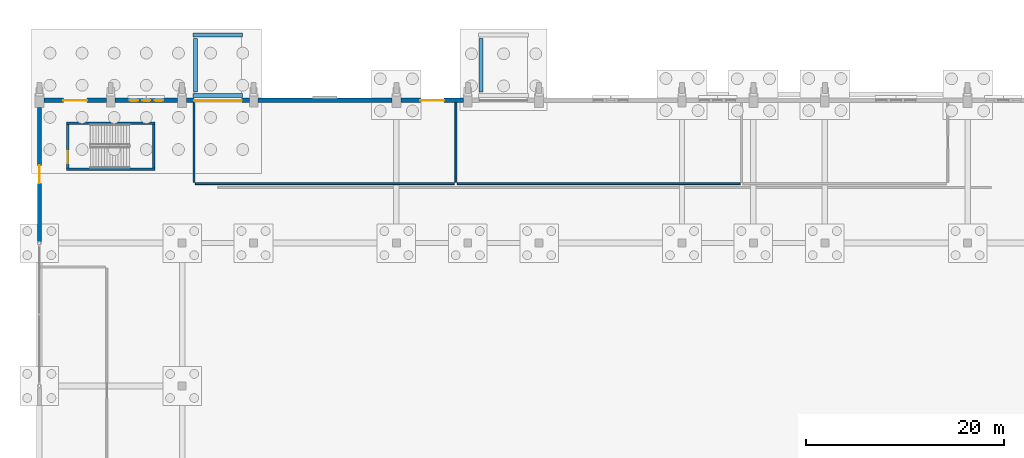
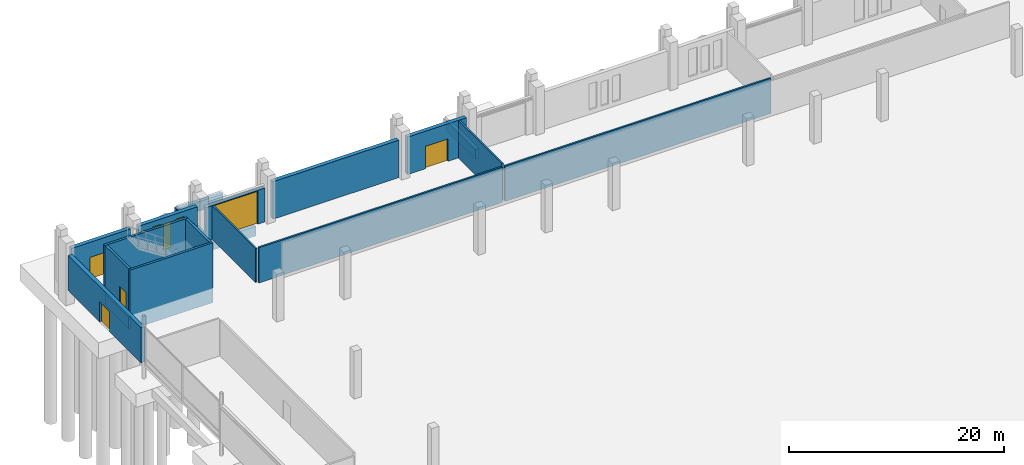
# One storey, part 149 of 192: 19 walls, 5 doors, 3 windows, 8 openings.
"""IFC4 building model written with IfcOpenShell, lengths in metres."""

from ifc_helpers import new_model, si_unit, direction, frame, frame_2d, origin, place, context, subcontext, project, spatial, rectangle, extrude, material, layer, layer_set, type_object, element, fill, save


model = new_model("IFC4")

# Units and contexts
model_context = context("Model", 3, precision=1e-05, world=origin(), true_north=direction((0.0, 1.0)))
body_context = subcontext(model_context, "Body", "Model", "MODEL_VIEW")
ifc_project = project(units=[si_unit("LENGTHUNIT", "METRE"), si_unit("AREAUNIT", "SQUARE_METRE"), si_unit("VOLUMEUNIT", "CUBIC_METRE"), si_unit("PLANEANGLEUNIT", "RADIAN"), si_unit("MASSUNIT", "GRAM", prefix="KILO")], contexts=[model_context])

# Site, building, storey
site_placement = place(None, origin())
site = spatial("IfcSite", under=ifc_project, at=site_placement, CompositionType="ELEMENT")
building_placement = place(site_placement, origin())
building = spatial("IfcBuilding", under=site, at=building_placement, Name="Cendralis Lancet Convention Centre", CompositionType="ELEMENT")
storey_placement = place(building_placement, origin())
storey = spatial("IfcBuildingStorey", under=building, at=storey_placement, Name="L00", CompositionType="ELEMENT", Elevation=0.0)

# Wall, opening, door
ifc_material_1 = material(Name="Buff sandstone ashlar and Concrete G40 (C40/50)", Category="masonry")
ifc_layer_1 = layer(ifc_material_1, 0.419921875, Name="Buff sandstone ashlar and Concrete G40 (C40/50)")
ifc_layer_set_1 = layer_set([ifc_layer_1], Name="Buff sandstone ashlar and Concrete G40 (C40/50)")
wall_type_1 = type_object("IfcWallType", Name="ARC-EW-W420", PredefinedType="STANDARD", material=ifc_layer_set_1)
wall_1_placement = place(storey_placement, frame((0.4580078125, 136.800048828125, 0.0), z_axis=(0.0, 0.0, 1.0), x_axis=(1.0, 0.0, 0.0)))
wall_1 = element("IfcWall", 1, at=wall_1_placement, inside=storey, type_object=wall_type_1, Name="L00 V1 Exterior Wall EW-01 #0001", PredefinedType="STANDARD", context=body_context, shape_type="SweptSolid", body=[
    extrude(rectangle(XDim=6.30908203125, YDim=0.419921875, at=frame_2d((3.154541015625, 0.0))), origin(), (0.0, 0.0, 1.0), 4.2548828125),
])
opening_1_placement = place(wall_1_placement, frame((1.95458984375, 0.0, 0.0)))
opening_1 = element("IfcOpeningElement", 2, at=opening_1_placement, cuts=wall_1, Name="Opening EX-D3", PredefinedType="OPENING", context=body_context, shape_type="SweptSolid", body=[
    extrude(rectangle(XDim=2.39990234375, YDim=2.550048828125, at=frame_2d((1.199951171875, 1.27490234375))), frame((0.0, 0.219970703125, 0.0), z_axis=(0.0, -1.0, 0.0), x_axis=(1.0, 0.0, 0.0)), (0.0, 0.0, 1.0), 0.43994140625),
])
ifc_material_2 = material(Name="Anodised bronze architectural aluminium", Category="aluminium")
door_type_1 = type_object("IfcDoorType", Name="ARC-DR-EX24", OperationType="NOTDEFINED", PredefinedType="DOOR", material=ifc_material_2)
door_1_placement = place(opening_1_placement, origin())
door_1 = element("IfcDoor", 3, at=door_1_placement, inside=storey, type_object=door_type_1, Name="L00-D008 Pedestrian Final Exit Door EX-08 #008", OperationType="DOUBLE_DOOR_SINGLE_SWING", OverallHeight=2.550048828125, OverallWidth=2.39990234375, PredefinedType="DOOR", context=body_context, shape_type="SweptSolid", body=[
    extrude(rectangle(XDim=2.39990234375, YDim=2.550048828125, at=frame_2d((1.199951171875, 1.27490234375))), frame((0.0, 0.02490234375, 0.0), z_axis=(0.0, -1.0, 0.0), x_axis=(1.0, 0.0, 0.0)), (0.0, 0.0, 1.0), 0.050048828125),
])
fill(opening_1, door_1)

# Wall, openings, windows
wall_2_placement = place(storey_placement, frame((7.633056640625, 136.800048828125, 0.0), z_axis=(0.0, 0.0, 1.0), x_axis=(1.0, 0.0, 0.0)))
wall_2 = element("IfcWall", 4, at=wall_2_placement, inside=storey, type_object=wall_type_1, Name="L00 V1 Exterior Wall EW-01 #0002", PredefinedType="STANDARD", context=body_context, shape_type="SweptSolid", body=[
    extrude(rectangle(XDim=6.308837890625, YDim=0.419921875, at=frame_2d((3.154296875, 0.0))), origin(), (0.0, 0.0, 1.0), 4.2548828125),
])
opening_2_placement = place(wall_2_placement, frame((1.464599609375, 0.0, 0.5)))
opening_2 = element("IfcOpeningElement", 5, at=opening_2_placement, cuts=wall_2, Name="Opening WN-03", PredefinedType="OPENING", context=body_context, shape_type="SweptSolid", body=[
    extrude(rectangle(XDim=0.860107421875, YDim=3.14990234375, at=frame_2d((0.43017578125, 1.574951171875))), frame((0.0, 0.219970703125, 0.0), z_axis=(0.0, -1.0, 0.0), x_axis=(1.0, 0.0, 0.0)), (0.0, 0.0, 1.0), 0.43994140625),
])
opening_3_placement = place(wall_2_placement, frame((2.744384765625, 0.0, 0.5)))
opening_3 = element("IfcOpeningElement", 6, at=opening_3_placement, cuts=wall_2, Name="Opening WN-02", PredefinedType="OPENING", context=body_context, shape_type="SweptSolid", body=[
    extrude(rectangle(XDim=0.820068359375, YDim=3.0, at=frame_2d((0.41015625, 1.5))), frame((0.0, 0.219970703125, 0.0), z_axis=(0.0, -1.0, 0.0), x_axis=(1.0, 0.0, 0.0)), (0.0, 0.0, 1.0), 0.43994140625),
])
opening_4_placement = place(wall_2_placement, frame((3.984619140625, 0.0, 0.5)))
opening_4 = element("IfcOpeningElement", 7, at=opening_4_placement, cuts=wall_2, Name="Opening WN-03", PredefinedType="OPENING", context=body_context, shape_type="SweptSolid", body=[
    extrude(rectangle(XDim=0.860107421875, YDim=3.14990234375, at=frame_2d((0.43017578125, 1.574951171875))), frame((0.0, 0.219970703125, 0.0), z_axis=(0.0, -1.0, 0.0), x_axis=(1.0, 0.0, 0.0)), (0.0, 0.0, 1.0), 0.43994140625),
])
ifc_material_3 = material(Name="Double-glazed low-E solar-control glass", Category="glass")
window_type_1 = type_object("IfcWindowType", Name="ARC-WN-LW02", PartitioningType="SINGLE_PANEL", PredefinedType="WINDOW", material=ifc_material_3)
window_1_placement = place(opening_3_placement, origin())
window_1 = element("IfcWindow", 8, at=window_1_placement, inside=storey, type_object=window_type_1, Name="Gothic Lancet Window WN-02 #0002", OverallHeight=3.0, OverallWidth=0.820068359375, PartitioningType="SINGLE_PANEL", PredefinedType="WINDOW", context=body_context, shape_type="SweptSolid", body=[
    extrude(rectangle(XDim=0.820068359375, YDim=3.0, at=frame_2d((0.41015625, 1.5))), frame((0.0, 0.030029296875, 0.0), z_axis=(0.0, -1.0, 0.0), x_axis=(1.0, 0.0, 0.0)), (0.0, 0.0, 1.0), 0.06005859375),
])
fill(opening_3, window_1)
window_type_2 = type_object("IfcWindowType", Name="ARC-WN-LW03", PartitioningType="SINGLE_PANEL", PredefinedType="WINDOW", material=ifc_material_3)
window_2_placement = place(opening_2_placement, origin())
window_2 = element("IfcWindow", 9, at=window_2_placement, inside=storey, type_object=window_type_2, Name="Gothic Lancet Window WN-03 #0001", OverallHeight=3.14990234375, OverallWidth=0.860107421875, PartitioningType="SINGLE_PANEL", PredefinedType="WINDOW", context=body_context, shape_type="SweptSolid", body=[
    extrude(rectangle(XDim=0.860107421875, YDim=3.14990234375, at=frame_2d((0.43017578125, 1.574951171875))), frame((0.0, 0.030029296875, 0.0), z_axis=(0.0, -1.0, 0.0), x_axis=(1.0, 0.0, 0.0)), (0.0, 0.0, 1.0), 0.06005859375),
])
fill(opening_2, window_2)
window_3_placement = place(opening_4_placement, origin())
window_3 = element("IfcWindow", 10, at=window_3_placement, inside=storey, type_object=window_type_2, Name="Gothic Lancet Window WN-03 #0003", OverallHeight=3.14990234375, OverallWidth=0.860107421875, PartitioningType="SINGLE_PANEL", PredefinedType="WINDOW", context=body_context, shape_type="SweptSolid", body=[
    extrude(rectangle(XDim=0.860107421875, YDim=3.14990234375, at=frame_2d((0.43017578125, 1.574951171875))), frame((0.0, 0.030029296875, 0.0), z_axis=(0.0, -1.0, 0.0), x_axis=(1.0, 0.0, 0.0)), (0.0, 0.0, 1.0), 0.06005859375),
])
fill(opening_4, window_3)

# Wall, opening, door
wall_3_placement = place(storey_placement, frame((14.85791015625, 136.800048828125, 0.0), z_axis=(0.0, 0.0, 1.0), x_axis=(1.0, 0.0, 0.0)))
wall_3 = element("IfcWall", 11, at=wall_3_placement, inside=storey, type_object=wall_type_1, Name="L00 V1 Exterior Wall EW-01 #0003", PredefinedType="STANDARD", context=body_context, shape_type="SweptSolid", body=[
    extrude(rectangle(XDim=6.30908203125, YDim=0.419921875, at=frame_2d((3.154541015625, 0.0))), origin(), (0.0, 0.0, 1.0), 3.8349609375),
])
opening_5_placement = place(wall_3_placement, frame((0.75439453125, 0.0, 0.0)))
opening_5 = element("IfcOpeningElement", 12, at=opening_5_placement, cuts=wall_3, Name="Opening SH-48", PredefinedType="OPENING", context=body_context, shape_type="SweptSolid", body=[
    extrude(rectangle(XDim=4.800048828125, YDim=3.75, at=frame_2d((2.39990234375, 1.875))), frame((0.0, 0.219970703125, 0.0), z_axis=(0.0, -1.0, 0.0), x_axis=(1.0, 0.0, 0.0)), (0.0, 0.0, 1.0), 0.43994140625),
])
ifc_material_4 = material(Name="Steel S355", Category="steel")
door_type_2 = type_object("IfcDoorType", Name="ARC-DR-SH48", OperationType="ROLLINGUP", PredefinedType="USERDEFINED", material=ifc_material_4)
door_2_placement = place(opening_5_placement, origin())
door_2 = element("IfcDoor", 13, at=door_2_placement, inside=storey, type_object=door_type_2, Name="L00-D009 Service Shutter #009", ObjectType="SHUTTER", OperationType="ROLLINGUP", OverallHeight=3.75, OverallWidth=4.800048828125, PredefinedType="USERDEFINED", context=body_context, shape_type="SweptSolid", body=[
    extrude(rectangle(XDim=4.800048828125, YDim=3.75, at=frame_2d((2.39990234375, 1.875))), frame((0.0, 0.02490234375, 0.0), z_axis=(0.0, -1.0, 0.0), x_axis=(1.0, 0.0, 0.0)), (0.0, 0.0, 1.0), 0.050048828125),
])
fill(opening_5, door_2)

# Wall
wall_4_placement = place(storey_placement, frame((22.032958984375, 136.800048828125, 0.0), z_axis=(0.0, 0.0, 1.0), x_axis=(1.0, 0.0, 0.0)))
element("IfcWall", 14, at=wall_4_placement, inside=storey, type_object=wall_type_1, Name="L00 V1 Exterior Wall EW-01 #0004", PredefinedType="STANDARD", context=body_context, shape_type="SweptSolid", body=[
    extrude(rectangle(XDim=13.509033203125, YDim=0.419921875, at=frame_2d((6.75439453125, 0.0))), origin(), (0.0, 0.0, 1.0), 4.2548828125),
])

# Wall, opening, door
wall_5_placement = place(storey_placement, frame((36.4580078125, 136.800048828125, 0.0), z_axis=(0.0, 0.0, 1.0), x_axis=(1.0, 0.0, 0.0)))
wall_5 = element("IfcWall", 15, at=wall_5_placement, inside=storey, type_object=wall_type_1, Name="L00 V1 Exterior Wall EW-01 #0005", PredefinedType="STANDARD", context=body_context, shape_type="SweptSolid", body=[
    extrude(rectangle(XDim=6.30908203125, YDim=0.419921875, at=frame_2d((3.154541015625, 0.0))), origin(), (0.0, 0.0, 1.0), 4.2548828125),
])
opening_6_placement = place(wall_5_placement, frame((1.95458984375, 0.0, 0.0)))
opening_6 = element("IfcOpeningElement", 16, at=opening_6_placement, cuts=wall_5, Name="Opening EX-D3", PredefinedType="OPENING", context=body_context, shape_type="SweptSolid", body=[
    extrude(rectangle(XDim=2.39990234375, YDim=2.550048828125, at=frame_2d((1.199951171875, 1.27490234375))), frame((0.0, 0.219970703125, 0.0), z_axis=(0.0, -1.0, 0.0), x_axis=(1.0, 0.0, 0.0)), (0.0, 0.0, 1.0), 0.43994140625),
])
door_3_placement = place(opening_6_placement, origin())
door_3 = element("IfcDoor", 17, at=door_3_placement, inside=storey, type_object=door_type_1, Name="L00-D010 Pedestrian Final Exit Door EX-10 #010", OperationType="DOUBLE_DOOR_SINGLE_SWING", OverallHeight=2.550048828125, OverallWidth=2.39990234375, PredefinedType="DOOR", context=body_context, shape_type="SweptSolid", body=[
    extrude(rectangle(XDim=2.39990234375, YDim=2.550048828125, at=frame_2d((1.199951171875, 1.27490234375))), frame((0.0, 0.02490234375, 0.0), z_axis=(0.0, -1.0, 0.0), x_axis=(1.0, 0.0, 0.0)), (0.0, 0.0, 1.0), 0.050048828125),
])
fill(opening_6, door_3)

wall_6_placement = place(storey_placement, frame((0.0, 122.585693359375, 0.0), z_axis=(0.0, 0.0, 1.0), x_axis=(0.0, 1.0, 0.0)))
wall_6 = element("IfcWall", 18, at=wall_6_placement, inside=storey, type_object=wall_type_1, Name="L00 V1 Exterior Wall EW-01 #0031", PredefinedType="STANDARD", context=body_context, shape_type="SweptSolid", body=[
    extrude(rectangle(XDim=13.50634765625, YDim=0.419921875, at=frame_2d((6.753173828125, 0.0))), origin(), (0.0, 0.0, 1.0), 4.0048828125),
])
opening_7_placement = place(wall_6_placement, frame((5.85302734375, 0.0, 0.0)))
opening_7 = element("IfcOpeningElement", 19, at=opening_7_placement, cuts=wall_6, Name="Opening EX-D1", PredefinedType="OPENING", context=body_context, shape_type="SweptSolid", body=[
    extrude(rectangle(XDim=1.800048828125, YDim=2.25, at=frame_2d((0.89990234375, 1.125))), frame((0.0, 0.219970703125, 0.0), z_axis=(0.0, -1.0, 0.0), x_axis=(1.0, 0.0, 0.0)), (0.0, 0.0, 1.0), 0.43994140625),
])
door_type_3 = type_object("IfcDoorType", Name="ARC-DR-EX18", OperationType="NOTDEFINED", PredefinedType="DOOR", material=ifc_material_2)
door_4_placement = place(opening_7_placement, origin())
door_4 = element("IfcDoor", 20, at=door_4_placement, inside=storey, type_object=door_type_3, Name="L00-D023 Pedestrian Final Exit Door EX-23 #023", OperationType="DOUBLE_DOOR_SINGLE_SWING", OverallHeight=2.25, OverallWidth=1.800048828125, PredefinedType="DOOR", context=body_context, shape_type="SweptSolid", body=[
    extrude(rectangle(XDim=1.800048828125, YDim=2.25, at=frame_2d((0.89990234375, 1.125))), frame((0.0, 0.02490234375, 0.0), z_axis=(0.0, -1.0, 0.0), x_axis=(1.0, 0.0, 0.0)), (0.0, 0.0, 1.0), 0.050048828125),
])
fill(opening_7, door_4)

# Walls
ifc_material_5 = material(Name="Acoustic fire-rated gypsum board on steel studs", Category="steel")
ifc_layer_2 = layer(ifc_material_5, 0.179931640625, Name="Acoustic fire-rated gypsum board on steel studs")
ifc_layer_set_2 = layer_set([ifc_layer_2], Name="Acoustic fire-rated gypsum board on steel studs")
wall_type_2 = type_object("IfcWallType", Name="ARC-IW-P180", PredefinedType="PARTITIONING", material=ifc_layer_set_2)
wall_7_placement = place(storey_placement, frame((15.739990234375, 128.39990234375, 0.0), z_axis=(0.0, 0.0, 1.0), x_axis=(1.0, 0.0, 0.0)))
element("IfcWall", 21, at=wall_7_placement, inside=storey, type_object=wall_type_2, Name="L00 Interior Partition IW-02 #0003", PredefinedType="PARTITIONING", context=body_context, shape_type="SweptSolid", body=[
    extrude(rectangle(XDim=26.1201171875, YDim=0.179931640625, at=frame_2d((13.06005859375, 0.0))), origin(), (0.0, 0.0, 1.0), 4.0048828125),
])
wall_8_placement = place(storey_placement, frame((15.60009765625, 128.5400390625, 0.0), z_axis=(0.0, 0.0, 1.0), x_axis=(0.0, 1.0, 0.0)))
element("IfcWall", 22, at=wall_8_placement, inside=storey, type_object=wall_type_2, Name="L00 Interior Partition IW-02 #0004", PredefinedType="PARTITIONING", context=body_context, shape_type="SweptSolid", body=[
    extrude(rectangle(XDim=8.030029296875, YDim=0.179931640625, at=frame_2d((4.01513671875, 0.0))), origin(), (0.0, 0.0, 1.0), 3.8349609375),
])
wall_9_placement = place(storey_placement, frame((42.0, 128.5400390625, 0.0), z_axis=(0.0, 0.0, 1.0), x_axis=(0.0, 1.0, 0.0)))
element("IfcWall", 23, at=wall_9_placement, inside=storey, type_object=wall_type_2, Name="L00 Interior Partition IW-02 #0005", PredefinedType="PARTITIONING", context=body_context, shape_type="SweptSolid", body=[
    extrude(rectangle(XDim=8.030029296875, YDim=0.179931640625, at=frame_2d((4.01513671875, 0.0))), origin(), (0.0, 0.0, 1.0), 4.2548828125),
])
wall_10_placement = place(storey_placement, frame((42.139892578125, 128.39990234375, 0.0), z_axis=(0.0, 0.0, 1.0), x_axis=(1.0, 0.0, 0.0)))
element("IfcWall", 24, at=wall_10_placement, inside=storey, type_object=wall_type_2, Name="L00 Interior Partition IW-02 #0006", PredefinedType="PARTITIONING", context=body_context, shape_type="SweptSolid", body=[
    extrude(rectangle(XDim=28.52001953125, YDim=0.179931640625, at=frame_2d((14.260009765625, 0.0))), origin(), (0.0, 0.0, 1.0), 4.0048828125),
])
ifc_material_6 = material(Name="Concrete G40 (C40/50)", Category="concrete")
ifc_layer_3 = layer(ifc_material_6, 0.25, Name="Concrete G40 (C40/50)")
ifc_layer_set_3 = layer_set([ifc_layer_3], Name="Concrete G40 (C40/50)")
wall_type_3 = type_object("IfcWallType", Name="STR-SW-CW250", PredefinedType="SHEAR", material=ifc_layer_set_3)
wall_11_placement = place(storey_placement, frame((2.875, 130.0, -1.64990234375), z_axis=(0.0, 0.0, 1.0), x_axis=(0.0, 1.0, 0.0)))
element("IfcWall", 25, at=wall_11_placement, inside=storey, type_object=wall_type_3, Name="L00 Stair Core ST-02 West Base Stem", PredefinedType="SHEAR", context=body_context, shape_type="SweptSolid", body=[
    extrude(rectangle(XDim=4.3798828125, YDim=0.25, at=frame_2d((2.18994140625, 0.0))), origin(), (0.0, 0.0, 1.0), 1.309814453125),
])

# Wall, opening, door
wall_12_placement = place(storey_placement, frame((2.875, 130.0, 0.0), z_axis=(0.0, 0.0, 1.0), x_axis=(0.0, 1.0, 0.0)))
wall_12 = element("IfcWall", 26, at=wall_12_placement, inside=storey, type_object=wall_type_3, Name="L00 Stair Core ST-02 West Shear Wall", PredefinedType="SHEAR", context=body_context, shape_type="SweptSolid", body=[
    extrude(rectangle(XDim=4.3798828125, YDim=0.25, at=frame_2d((2.18994140625, 0.0))), origin(), (0.0, 0.0, 1.0), 5.1201171875),
])
opening_8_placement = place(wall_12_placement, frame((0.449951171875, 0.0, 0.0)))
opening_8 = element("IfcOpeningElement", 27, at=opening_8_placement, cuts=wall_12, Name="Opening SD-12", PredefinedType="OPENING", context=body_context, shape_type="SweptSolid", body=[
    extrude(rectangle(XDim=1.199951171875, YDim=2.14990234375, at=frame_2d((0.60009765625, 1.074951171875))), frame((0.0, 0.135009765625, 0.0), z_axis=(0.0, -1.0, 0.0), x_axis=(1.0, 0.0, 0.0)), (0.0, 0.0, 1.0), 0.27001953125),
])
door_type_4 = type_object("IfcDoorType", Name="ARC-DR-ST12", OperationType="NOTDEFINED", PredefinedType="DOOR", material=ifc_material_4)
door_5_placement = place(opening_8_placement, origin())
door_5 = element("IfcDoor", 28, at=door_5_placement, inside=storey, type_object=door_type_4, Name="L00-D119 L00 Exit Stair ST-02 Fire Door", OperationType="SINGLE_SWING_RIGHT", OverallHeight=2.14990234375, OverallWidth=1.199951171875, PredefinedType="DOOR", context=body_context, shape_type="SweptSolid", body=[
    extrude(rectangle(XDim=1.199951171875, YDim=2.14990234375, at=frame_2d((0.60009765625, 1.074951171875))), frame((0.0, 0.02490234375, 0.0), z_axis=(0.0, -1.0, 0.0), x_axis=(1.0, 0.0, 0.0)), (0.0, 0.0, 1.0), 0.050048828125),
])
fill(opening_8, door_5)

# Walls
wall_13_placement = place(storey_placement, frame((11.52490234375, 130.0, -1.64990234375), z_axis=(0.0, 0.0, 1.0), x_axis=(0.0, 1.0, 0.0)))
element("IfcWall", 29, at=wall_13_placement, inside=storey, type_object=wall_type_3, Name="L00 Stair Core ST-02 East Shear Wall", PredefinedType="SHEAR", context=body_context, shape_type="SweptSolid", body=[
    extrude(rectangle(XDim=4.3798828125, YDim=0.25, at=frame_2d((2.18994140625, 0.0))), origin(), (0.0, 0.0, 1.0), 6.77001953125),
])
for number, where, z_axis, x_axis, name in (
    (30, (2.75, 129.875, -1.64990234375), (0.0, 0.0, 1.0), (1.0, 0.0, 0.0), "L00 Stair Core ST-02 South Shear Wall"),
    (31, (2.75, 134.5048828125, -1.64990234375), (0.0, 0.0, 1.0), (1.0, 0.0, 0.0), "L00 Stair Core ST-02 North Shear Wall"),
):
    element("IfcWall", number, at=place(storey_placement, frame(where, z_axis=z_axis, x_axis=x_axis)), inside=storey, type_object=wall_type_3, Name=name, PredefinedType="SHEAR", context=body_context, shape_type="SweptSolid", body=[
        extrude(rectangle(XDim=8.89990234375, YDim=0.25, at=frame_2d((4.449951171875, 0.0))), origin(), (0.0, 0.0, 1.0), 6.77001953125),
    ])
ifc_material_7 = material(Name="Concrete G35 (C35/45)", Category="concrete")
ifc_layer_4 = layer(ifc_material_7, 0.39990234375, Name="Concrete G35 (C35/45)")
ifc_layer_set_4 = layer_set([ifc_layer_4], Name="Concrete G35 (C35/45)")
wall_type_4 = type_object("IfcWallType", Name="STR-WL-RPSTEM", PredefinedType="SHEAR", material=ifc_layer_set_4)
wall_14_placement = place(storey_placement, frame((15.5, 143.39990234375, -1.64990234375), z_axis=(0.0, 0.0, 1.0), x_axis=(1.0, 0.0, 0.0)))
element("IfcWall", 32, at=wall_14_placement, inside=storey, type_object=wall_type_4, Name="Ramp RP-05 Toe Stem Wall", PredefinedType="SHEAR", context=body_context, shape_type="SweptSolid", body=[
    extrude(rectangle(XDim=5.0, YDim=0.39990234375, at=frame_2d((2.5, 0.0))), origin(), (0.0, 0.0, 1.0), 1.06982421875),
])
wall_15_placement = place(storey_placement, frame((15.5, 137.300048828125, -1.64990234375), z_axis=(0.0, 0.0, 1.0), x_axis=(1.0, 0.0, 0.0)))
element("IfcWall", 33, at=wall_15_placement, inside=storey, type_object=wall_type_4, Name="Ramp RP-05 Head Stem Wall", PredefinedType="SHEAR", context=body_context, shape_type="SweptSolid", body=[
    extrude(rectangle(XDim=5.0, YDim=0.39990234375, at=frame_2d((2.5, 0.0))), origin(), (0.0, 0.0, 1.0), 1.08984375),
])
for number, where, z_axis, x_axis, name in (
    (34, (15.75, 137.64990234375, -1.64990234375), (0.0, 0.0, 1.0), (0.0, 1.0, 0.0), "Ramp RP-05 Side Stem Wall"),
    (35, (44.550048828125, 137.64990234375, -1.64990234375), (0.0, 0.0, 1.0), (0.0, 1.0, 0.0), "Ramp RP-06 Side Stem Wall"),
):
    element("IfcWall", number, at=place(storey_placement, frame(where, z_axis=z_axis, x_axis=x_axis)), inside=storey, type_object=wall_type_4, Name=name, PredefinedType="SHEAR", context=body_context, shape_type="SweptSolid", body=[
        extrude(rectangle(XDim=5.400146484375, YDim=0.39990234375, at=frame_2d((2.7001953125, 0.0))), origin(), (0.0, 0.0, 1.0), 1.08984375),
    ])

save(model, "model.ifc")
